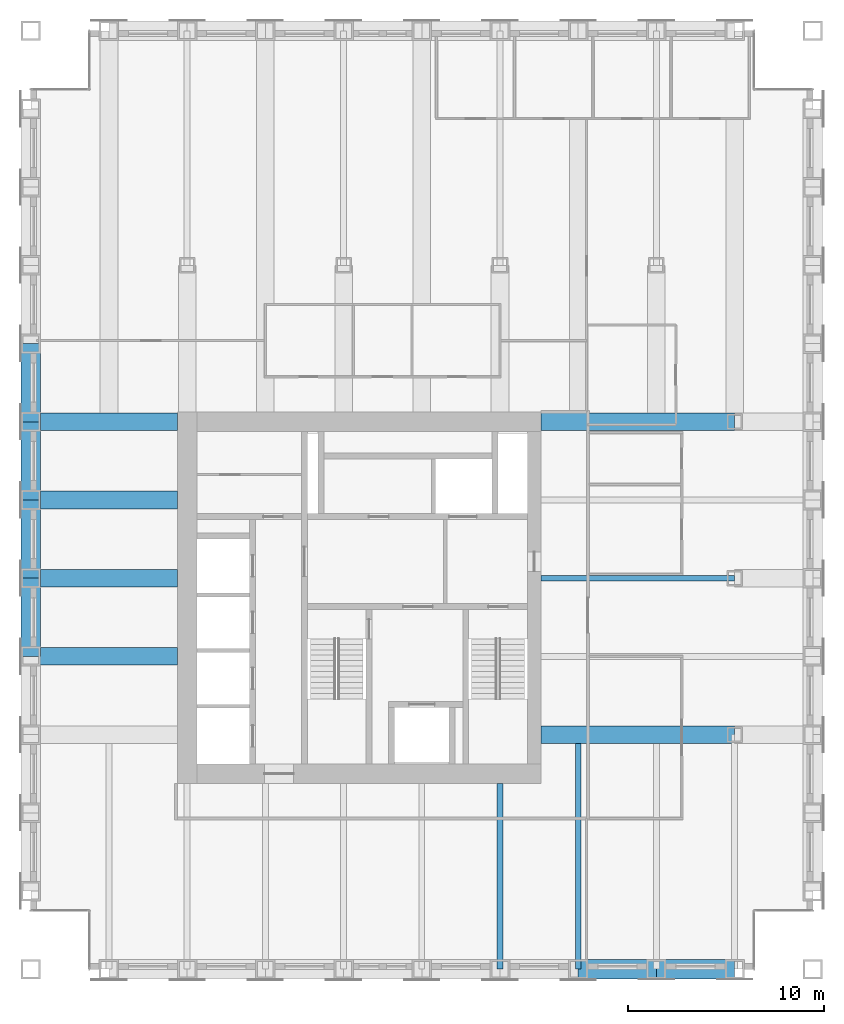
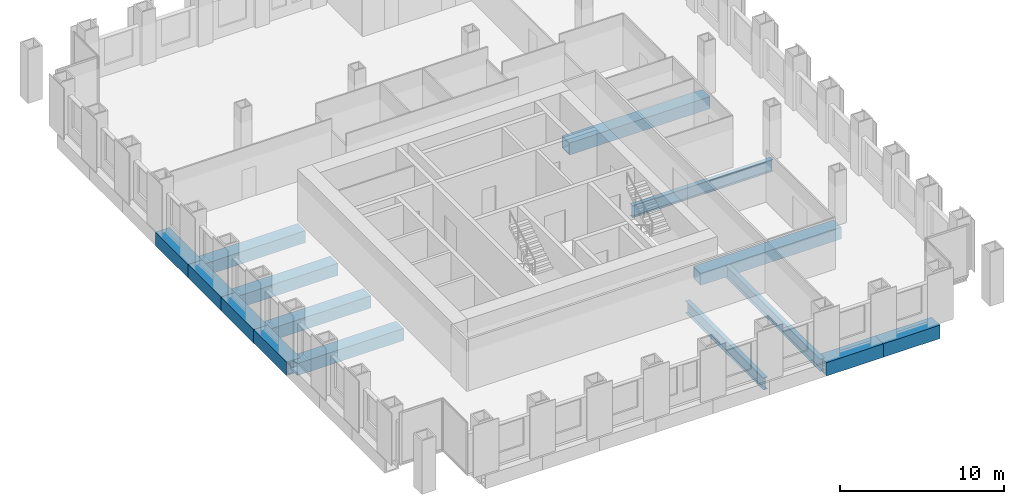
# One storey, part 3 of 13: 15 beams.
"""IFC4 building model written with IfcOpenShell, lengths in metres."""

from ifc_helpers import new_model, si_unit, direction, frame, origin, origin_2d, place, context, subcontext, project, spatial, hollow_rectangle, i_section, extrude, material, material_profile, profile_set, type_object, element, save


model = new_model("IFC4")

# Units and contexts
model_context = context("Model", 3, precision=1e-05, world=origin(), true_north=direction((0.0, 1.0)))
body_context = subcontext(model_context, "Body", "Model", "MODEL_VIEW")
ifc_project = project(units=[si_unit("LENGTHUNIT", "METRE"), si_unit("AREAUNIT", "SQUARE_METRE"), si_unit("VOLUMEUNIT", "CUBIC_METRE"), si_unit("PLANEANGLEUNIT", "RADIAN"), si_unit("MASSUNIT", "GRAM", prefix="KILO")], contexts=[model_context])

# Site, building, storey
site_placement = place(None, origin())
site = spatial("IfcSite", under=ifc_project, at=site_placement, CompositionType="ELEMENT")
building_placement = place(site_placement, origin())
building = spatial("IfcBuilding", under=site, at=building_placement, Name="Rimbunsela Tower", CompositionType="ELEMENT")
storey_placement = place(building_placement, frame((0.0, 0.0, 214.199951171875)))
storey = spatial("IfcBuildingStorey", under=building, at=storey_placement, Name="L51", CompositionType="ELEMENT", Elevation=214.199951171875)

# Beams
ifc_material_1 = material(Name="Steel BJ 55 (fy 410 MPa)", Category="steel")
ifc_material_profile_1 = material_profile(ifc_material_1, hollow_rectangle(XDim=1.0, YDim=1.0, WallThickness=0.10009765625, at=origin_2d()), Name="BOX 1000x1000x100")
ifc_profile_set_1 = profile_set([ifc_material_profile_1], Name="Steel BJ 55 (fy 410 MPa)")
beam_type_1 = type_object("IfcBeamType", Name="Beam BOX 1000x1000x100", PredefinedType="BEAM", material=ifc_profile_set_1)
for number, where, z_axis, x_axis, name in (
    (1, (10.0, 24.0, -0.64990234375), (0.0, 1.0, 0.0), (-1.0, 0.0, 0.0), "Beam B3 L51"),
    (2, (10.0, 28.0, -0.64990234375), (0.0, 1.0, 0.0), (-1.0, 0.0, 0.0), "Beam B3 L51"),
    (3, (10.0, 32.0, -0.64990234375), (0.0, 1.0, 0.0), (-1.0, 0.0, 0.0), "Beam B3 L51"),
    (4, (10.0, 36.0, -0.64990234375), (0.0, 1.0, 0.0), (-1.0, 0.0, 0.0), "Beam B3 L51"),
    (5, (38.0, 8.0, -0.64990234375), (1.0, 0.0, 0.0), (0.0, 1.0, 0.0), "Beam B3 L51"),
    (6, (42.0, 8.0, -0.64990234375), (1.0, 0.0, 0.0), (0.0, 1.0, 0.0), "Beam B3 L51"),
):
    element("IfcBeam", number, at=place(storey_placement, frame(where, z_axis=z_axis, x_axis=x_axis)), inside=storey, type_object=beam_type_1, Name=name, PredefinedType="BEAM", context=body_context, shape_type="SweptSolid", body=[
        extrude(hollow_rectangle(XDim=1.0, YDim=1.0, WallThickness=0.10009765625, at=origin_2d()), origin(), (0.0, 0.0, 1.0), 4.0),
    ])
ifc_material_2 = material(Name="Steel BJ 55 (fy 410 MPa)", Category="steel")
ifc_material_profile_2 = material_profile(ifc_material_2, hollow_rectangle(XDim=0.89990234375, YDim=0.89990234375, WallThickness=0.06005859375, at=origin_2d()), Name="BOX 900x900x60")
ifc_profile_set_2 = profile_set([ifc_material_profile_2], Name="Steel BJ 55 (fy 410 MPa)")
beam_type_2 = type_object("IfcBeamType", Name="Beam BOX 900x900x60", PredefinedType="BEAM", material=ifc_profile_set_2)
for number, where, z_axis, x_axis, name in (
    (7, (10.0, 24.0, -0.599853515625), (1.0, 0.0, 0.0), (0.0, 1.0, 0.0), "Beam B1 L51"),
    (8, (10.0, 28.0, -0.599853515625), (1.0, 0.0, 0.0), (0.0, 1.0, 0.0), "Beam B1 L51"),
    (9, (10.0, 32.0, -0.599853515625), (1.0, 0.0, 0.0), (0.0, 1.0, 0.0), "Beam B1 L51"),
    (10, (10.0, 36.0, -0.599853515625), (1.0, 0.0, 0.0), (0.0, 1.0, 0.0), "Beam B1 L51"),
):
    element("IfcBeam", number, at=place(storey_placement, frame(where, z_axis=z_axis, x_axis=x_axis)), inside=storey, type_object=beam_type_2, Name=name, PredefinedType="BEAM", context=body_context, shape_type="SweptSolid", body=[
        extrude(hollow_rectangle(XDim=0.89990234375, YDim=0.89990234375, WallThickness=0.06005859375, at=origin_2d()), origin(), (0.0, 0.0, 1.0), 7.5),
    ])
for number, where, z_axis, x_axis, name in (
    (11, (36.10009765625, 20.0, -0.599853515625), (1.0, 0.0, 0.0), (0.0, 1.0, 0.0), "Beam B1 L51"),
    (12, (36.10009765625, 36.0, -0.599853515625), (1.0, 0.0, 0.0), (0.0, 1.0, 0.0), "Beam B1 L51"),
):
    element("IfcBeam", number, at=place(storey_placement, frame(where, z_axis=z_axis, x_axis=x_axis)), inside=storey, type_object=beam_type_2, Name=name, PredefinedType="BEAM", context=body_context, shape_type="SweptSolid", body=[
        extrude(hollow_rectangle(XDim=0.89990234375, YDim=0.89990234375, WallThickness=0.06005859375, at=origin_2d()), origin(), (0.0, 0.0, 1.0), 9.89990234375),
    ])
ifc_material_3 = material(Name="Steel BJ 55 (fy 410 MPa)", Category="steel")
ifc_material_profile_3 = material_profile(ifc_material_3, i_section(OverallWidth=0.300048828125, OverallDepth=0.89990234375, WebThickness=0.01611328125, FlangeThickness=0.028076171875, FilletRadius=0.028076171875, at=origin_2d()), Name="H 900x300x16x28")
ifc_profile_set_3 = profile_set([ifc_material_profile_3], Name="Steel BJ 55 (fy 410 MPa)")
beam_type_3 = type_object("IfcBeamType", Name="Beam H 900x300x16x28", PredefinedType="BEAM", material=ifc_profile_set_3)
beam_1_placement = place(storey_placement, frame((34.0, 8.0, -0.599853515625), z_axis=(0.0, 1.0, 0.0), x_axis=(-1.0, 0.0, 0.0)))
element("IfcBeam", 13, at=beam_1_placement, inside=storey, type_object=beam_type_3, Name="Beam B2 L51", PredefinedType="BEAM", context=body_context, shape_type="SweptSolid", body=[
    extrude(i_section(OverallWidth=0.300048828125, OverallDepth=0.89990234375, WebThickness=0.01611328125, FlangeThickness=0.028076171875, FilletRadius=0.028076171875, at=origin_2d()), origin(), (0.0, 0.0, 1.0), 9.5),
])
beam_2_placement = place(storey_placement, frame((36.10009765625, 28.0, -0.599853515625), z_axis=(1.0, 0.0, 0.0), x_axis=(0.0, 1.0, 0.0)))
element("IfcBeam", 14, at=beam_2_placement, inside=storey, type_object=beam_type_3, Name="Beam B2 L51", PredefinedType="BEAM", context=body_context, shape_type="SweptSolid", body=[
    extrude(i_section(OverallWidth=0.300048828125, OverallDepth=0.89990234375, WebThickness=0.01611328125, FlangeThickness=0.028076171875, FilletRadius=0.028076171875, at=origin_2d()), origin(), (0.0, 0.0, 1.0), 9.89990234375),
])
beam_3_placement = place(storey_placement, frame((38.0, 8.0, -0.599853515625), z_axis=(0.0, 1.0, 0.0), x_axis=(-1.0, 0.0, 0.0)))
element("IfcBeam", 15, at=beam_3_placement, inside=storey, type_object=beam_type_3, Name="Beam B2 L51", PredefinedType="BEAM", context=body_context, shape_type="SweptSolid", body=[
    extrude(i_section(OverallWidth=0.300048828125, OverallDepth=0.89990234375, WebThickness=0.01611328125, FlangeThickness=0.028076171875, FilletRadius=0.028076171875, at=origin_2d()), origin(), (0.0, 0.0, 1.0), 11.550048828125),
])

save(model, "model.ifc")
